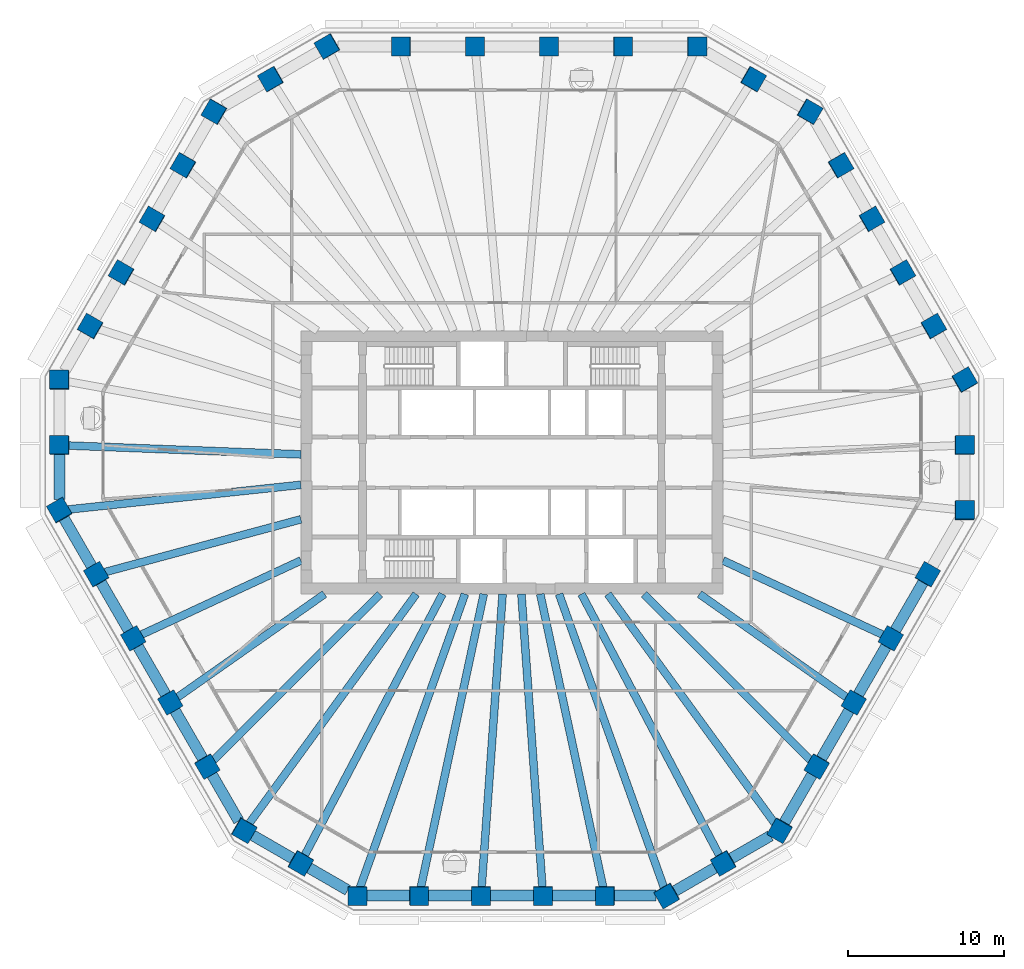
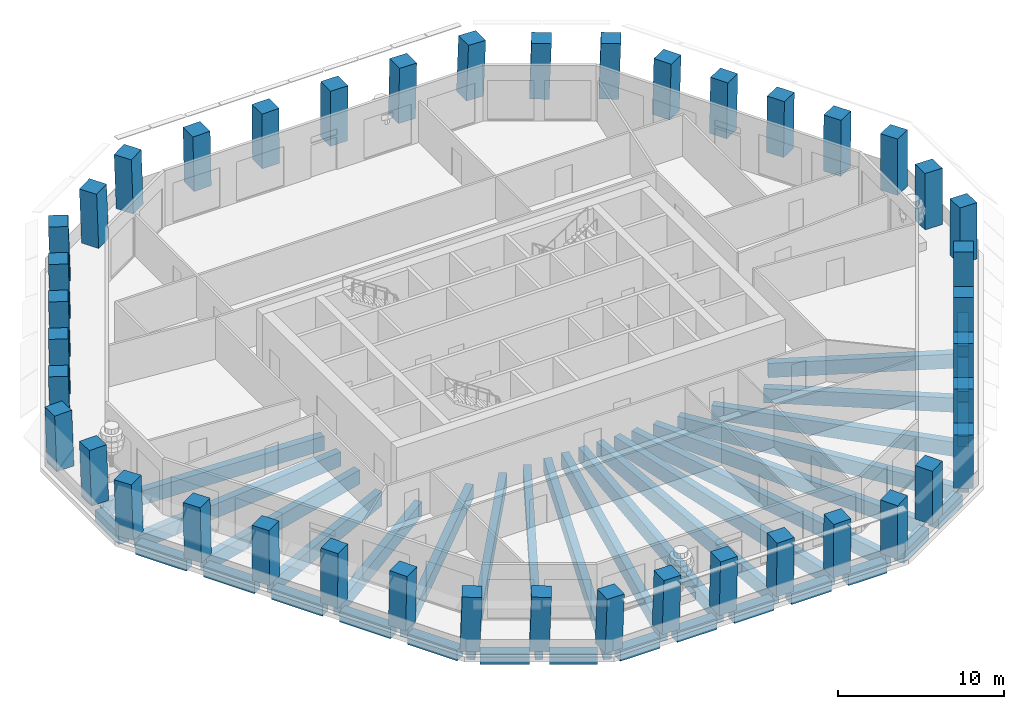
# One storey, part 1 of 12: 42 columns, 38 beams.
"""IFC4 building model written with IfcOpenShell, lengths in metres."""

from ifc_helpers import new_model, si_unit, direction, frame, origin, origin_2d, place, context, subcontext, project, spatial, rectangle, extrude, material, material_profile, profile_set, type_object, element, save


model = new_model("IFC4")

# Units and contexts
model_context = context("Model", 3, precision=1e-05, world=origin(), true_north=direction((0.0, 1.0)))
body_context = subcontext(model_context, "Body", "Model", "MODEL_VIEW")
ifc_project = project(units=[si_unit("LENGTHUNIT", "METRE"), si_unit("AREAUNIT", "SQUARE_METRE"), si_unit("VOLUMEUNIT", "CUBIC_METRE"), si_unit("PLANEANGLEUNIT", "RADIAN"), si_unit("MASSUNIT", "GRAM", prefix="KILO")], contexts=[model_context])

# Site, building, storey
site_placement = place(None, origin())
site = spatial("IfcSite", under=ifc_project, at=site_placement, CompositionType="ELEMENT")
building_placement = place(site_placement, origin())
building = spatial("IfcBuilding", under=site, at=building_placement, Name="Frailejon Research Tower", CompositionType="ELEMENT")
storey_placement = place(building_placement, frame((0.0, 0.0, 180.39990234375)))
storey = spatial("IfcBuildingStorey", under=building, at=storey_placement, Name="L39", CompositionType="ELEMENT", Elevation=180.39990234375)

# Columns
ifc_material_1 = material(Name="Concrete C60/75", Category="concrete")
ifc_material_profile_1 = material_profile(ifc_material_1, rectangle(XDim=1.199951171875, YDim=1.199951171875, at=origin_2d()), Name="Column 1200")
ifc_profile_set_1 = profile_set([ifc_material_profile_1], Name="Concrete C60/75")
column_type = type_object("IfcColumnType", Name="Column 1200", PredefinedType="COLUMN", material=ifc_profile_set_1)
for number, where, z_axis, x_axis, name in (
    (1, (29.051513671875, -3.081298828125, 0.0), (0.018132630042, 0.031385715123, 0.999342856388), (-2.2275817e-05, 0.999507197449, -0.031390472292), "Column C01"),
    (2, (29.051513671875, 1.106201171875, 0.0), (0.018132630042, 0.031385715123, 0.999342856388), (-2.2275817e-05, 0.999507197449, -0.031390472292), "Column C02"),
    (3, (29.051513671875, 5.293701171875, 0.0), (0.018132630042, 0.031385715123, 0.999342856388), (-0.500209083473, 0.865715193431, -0.018112886952), "Column C03"),
):
    element("IfcColumn", number, at=place(storey_placement, frame(where, z_axis=z_axis, x_axis=x_axis)), inside=storey, type_object=column_type, Name=name, PredefinedType="COLUMN", context=body_context, shape_type="SweptSolid", body=[
        extrude(rectangle(XDim=1.199951171875, YDim=1.199951171875, at=origin_2d()), origin(), (0.0, 0.0, 1.0), 4.052734375),
    ])
column_1_placement = place(storey_placement, frame((27.063232421875, 8.737548828125, 0.0), z_axis=(0.021749390218, 0.025123256844, 0.9994477405), x_axis=(-0.500502362591, 0.865666942435, -0.01086875412)))
element("IfcColumn", 4, at=column_1_placement, inside=storey, type_object=column_type, Name="Column C04", PredefinedType="COLUMN", context=body_context, shape_type="SweptSolid", body=[
    extrude(rectangle(XDim=1.199951171875, YDim=1.199951171875, at=origin_2d()), origin(), (0.0, 0.0, 1.0), 4.05224609375),
])
for number, where, z_axis, x_axis, name in (
    (5, (25.074951171875, 12.18115234375, 0.0), (0.025425794273, 0.018858468264, 0.999498817988), (-0.499709914648, 0.866185208492, -0.003631224684), "Column C05"),
    (6, (23.0869140625, 15.625, 0.0), (0.028980660531, 0.012532177527, 0.999501408624), (-0.499450496938, 0.866334867635, 0.003619147421), "Column C06"),
):
    element("IfcColumn", number, at=place(storey_placement, frame(where, z_axis=z_axis, x_axis=x_axis)), inside=storey, type_object=column_type, Name=name, PredefinedType="COLUMN", context=body_context, shape_type="SweptSolid", body=[
        extrude(rectangle(XDim=1.199951171875, YDim=1.199951171875, at=origin_2d()), origin(), (0.0, 0.0, 1.0), 4.052001953125),
    ])
column_2_placement = place(storey_placement, frame((21.098388671875, 19.068603515625, 0.0), z_axis=(0.032654174822, 0.006325993277, 0.999446690262), x_axis=(-0.500478631698, 0.865680616164, 0.010872442804)))
element("IfcColumn", 7, at=column_2_placement, inside=storey, type_object=column_type, Name="Column C07", PredefinedType="COLUMN", context=body_context, shape_type="SweptSolid", body=[
    extrude(rectangle(XDim=1.199951171875, YDim=1.199951171875, at=origin_2d()), origin(), (0.0, 0.0, 1.0), 4.05224609375),
])
for number, where, z_axis, x_axis, name in (
    (8, (19.1103515625, 22.512451171875, 0.0), (0.036205074038, 0.0, 0.999344381389), (-0.865315435316, 0.500246354177, 0.031349362627), "Column C08"),
    (9, (15.483642578125, 24.606201171875, 0.0), (0.036265236264, 0.0, 0.999342199969), (-0.865313546461, 0.500246354177, 0.031401456084), "Column C09"),
    (10, (11.857177734375, 26.699951171875, 0.0), (0.036265236264, 0.0, 0.999342199969), (-0.999342199969, 0.0, 0.036265236264), "Column C10"),
):
    element("IfcColumn", number, at=place(storey_placement, frame(where, z_axis=z_axis, x_axis=x_axis)), inside=storey, type_object=column_type, Name=name, PredefinedType="COLUMN", context=body_context, shape_type="SweptSolid", body=[
        extrude(rectangle(XDim=1.199951171875, YDim=1.199951171875, at=origin_2d()), origin(), (0.0, 0.0, 1.0), 4.052734375),
    ])
column_3_placement = place(storey_placement, frame((7.1142578125, 26.699951171875, 0.0), z_axis=(0.021756257337, 0.0, 0.999763304621), x_axis=(-0.999763304621, 0.0, 0.021756257337)))
element("IfcColumn", 11, at=column_3_placement, inside=storey, type_object=column_type, Name="Column C11", PredefinedType="COLUMN", context=body_context, shape_type="SweptSolid", body=[
    extrude(rectangle(XDim=1.199951171875, YDim=1.199951171875, at=origin_2d()), origin(), (0.0, 0.0, 1.0), 4.051025390625),
])
for number, where, z_axis, x_axis, name in (
    (12, (2.371337890625, 26.699951171875, 0.0), (0.007293795973, 0.0, 0.999973399916), (-0.999973399916, 0.0, 0.007293795973), "Column C12"),
    (13, (-2.371337890625, 26.699951171875, 0.0), (-0.007293795973, 0.0, 0.999973399916), (-0.999973399916, 0.0, -0.007293795973), "Column C13"),
):
    element("IfcColumn", number, at=place(storey_placement, frame(where, z_axis=z_axis, x_axis=x_axis)), inside=storey, type_object=column_type, Name=name, PredefinedType="COLUMN", context=body_context, shape_type="SweptSolid", body=[
        extrude(rectangle(XDim=1.199951171875, YDim=1.199951171875, at=origin_2d()), origin(), (0.0, 0.0, 1.0), 4.050048828125),
    ])
column_4_placement = place(storey_placement, frame((-7.1142578125, 26.699951171875, 0.0), z_axis=(-0.021756257337, 0.0, 0.999763304621), x_axis=(-0.999763304621, 0.0, -0.021756257337)))
element("IfcColumn", 14, at=column_4_placement, inside=storey, type_object=column_type, Name="Column C14", PredefinedType="COLUMN", context=body_context, shape_type="SweptSolid", body=[
    extrude(rectangle(XDim=1.199951171875, YDim=1.199951171875, at=origin_2d()), origin(), (0.0, 0.0, 1.0), 4.051025390625),
])
for number, where, z_axis, x_axis, name in (
    (15, (-11.857177734375, 26.699951171875, 0.0), (-0.036265236264, 0.0, 0.999342199969), (-0.865313546461, -0.500246354177, -0.031401456084), "Column C15"),
    (16, (-15.483642578125, 24.606201171875, 0.0), (-0.036265236264, 0.0, 0.999342199969), (-0.865313546461, -0.500246354177, -0.031401456084), "Column C16"),
    (17, (-19.1103515625, 22.512451171875, 0.0), (-0.036205074038, 0.0, 0.999344381389), (-0.499425957592, -0.866167613071, -0.018093616283), "Column C17"),
):
    element("IfcColumn", number, at=place(storey_placement, frame(where, z_axis=z_axis, x_axis=x_axis)), inside=storey, type_object=column_type, Name=name, PredefinedType="COLUMN", context=body_context, shape_type="SweptSolid", body=[
        extrude(rectangle(XDim=1.199951171875, YDim=1.199951171875, at=origin_2d()), origin(), (0.0, 0.0, 1.0), 4.052734375),
    ])
column_5_placement = place(storey_placement, frame((-21.098388671875, 19.068603515625, 0.0), z_axis=(-0.032654174822, 0.006325993277, 0.999446690262), x_axis=(-0.500478631698, -0.865680616164, -0.010872442804)))
element("IfcColumn", 18, at=column_5_placement, inside=storey, type_object=column_type, Name="Column C18", PredefinedType="COLUMN", context=body_context, shape_type="SweptSolid", body=[
    extrude(rectangle(XDim=1.199951171875, YDim=1.199951171875, at=origin_2d()), origin(), (0.0, 0.0, 1.0), 4.05224609375),
])
for number, where, z_axis, x_axis, name in (
    (19, (-23.0869140625, 15.625, 0.0), (-0.028980660531, 0.012532177527, 0.999501408624), (-0.499450496938, -0.866334867635, -0.003619147421), "Column C19"),
    (20, (-25.074951171875, 12.18115234375, 0.0), (-0.025425794273, 0.018858468264, 0.999498817988), (-0.499709914648, -0.866185208492, 0.003631224684), "Column C20"),
):
    element("IfcColumn", number, at=place(storey_placement, frame(where, z_axis=z_axis, x_axis=x_axis)), inside=storey, type_object=column_type, Name=name, PredefinedType="COLUMN", context=body_context, shape_type="SweptSolid", body=[
        extrude(rectangle(XDim=1.199951171875, YDim=1.199951171875, at=origin_2d()), origin(), (0.0, 0.0, 1.0), 4.052001953125),
    ])
column_6_placement = place(storey_placement, frame((-27.063232421875, 8.737548828125, 0.0), z_axis=(-0.021749390218, 0.025123256844, 0.9994477405), x_axis=(-0.500502362591, -0.865666942435, 0.01086875412)))
element("IfcColumn", 21, at=column_6_placement, inside=storey, type_object=column_type, Name="Column C21", PredefinedType="COLUMN", context=body_context, shape_type="SweptSolid", body=[
    extrude(rectangle(XDim=1.199951171875, YDim=1.199951171875, at=origin_2d()), origin(), (0.0, 0.0, 1.0), 4.05224609375),
])
for number, where, z_axis, x_axis, name in (
    (22, (-29.051513671875, 5.293701171875, 0.0), (-0.018132630042, 0.031385715123, 0.999342856388), (-0.000336383425, -0.999507319949, 0.031384776797), "Column C22"),
    (23, (-29.051513671875, 1.106201171875, 0.0), (-0.018132630042, 0.031385715123, 0.999342856388), (-2.2275817e-05, -0.999507197449, 0.031390472292), "Column C23"),
    (24, (-29.051513671875, -3.081298828125, 0.0), (-0.018132630042, 0.031385715123, 0.999342856388), (0.50014482047, -0.865182814935, 0.036247141934), "Column C24"),
):
    element("IfcColumn", number, at=place(storey_placement, frame(where, z_axis=z_axis, x_axis=x_axis)), inside=storey, type_object=column_type, Name=name, PredefinedType="COLUMN", context=body_context, shape_type="SweptSolid", body=[
        extrude(rectangle(XDim=1.199951171875, YDim=1.199951171875, at=origin_2d()), origin(), (0.0, 0.0, 1.0), 4.052734375),
    ])
column_7_placement = place(storey_placement, frame((-26.679931640625, -7.188720703125, 0.0), z_axis=(-0.010908266268, 0.018803199313, 0.999763696792), x_axis=(0.501388074159, -0.864949390756, 0.021738227219)))
element("IfcColumn", 25, at=column_7_placement, inside=storey, type_object=column_type, Name="Column C25", PredefinedType="COLUMN", context=body_context, shape_type="SweptSolid", body=[
    extrude(rectangle(XDim=1.199951171875, YDim=1.199951171875, at=origin_2d()), origin(), (0.0, 0.0, 1.0), 4.051025390625),
])
for number, where, z_axis, x_axis, name in (
    (26, (-24.30859375, -11.29638671875, 0.0), (-0.003616758439, 0.006329327268, 0.999973428984), (0.495951477881, -0.868319636001, 0.00728980954), "Column C26"),
    (27, (-21.937255859375, -15.40380859375, 0.0), (0.003616759812, -0.006269050341, 0.999973808685), (0.499535500447, -0.866263182786, -0.007237536985), "Column C27"),
):
    element("IfcColumn", number, at=place(storey_placement, frame(where, z_axis=z_axis, x_axis=x_axis)), inside=storey, type_object=column_type, Name=name, PredefinedType="COLUMN", context=body_context, shape_type="SweptSolid", body=[
        extrude(rectangle(XDim=1.199951171875, YDim=1.199951171875, at=origin_2d()), origin(), (0.0, 0.0, 1.0), 4.050048828125),
    ])
column_8_placement = place(storey_placement, frame((-19.565673828125, -19.51123046875, 0.0), z_axis=(0.010908266268, -0.018803199313, 0.999763696792), x_axis=(0.501388074159, -0.864949390756, -0.021738227219)))
element("IfcColumn", 28, at=column_8_placement, inside=storey, type_object=column_type, Name="Column C28", PredefinedType="COLUMN", context=body_context, shape_type="SweptSolid", body=[
    extrude(rectangle(XDim=1.199951171875, YDim=1.199951171875, at=origin_2d()), origin(), (0.0, 0.0, 1.0), 4.051025390625),
])
for number, where, z_axis, x_axis, name in (
    (29, (-17.1943359375, -23.61865234375, 0.0), (0.018132630042, -0.031385715123, 0.999342856388), (0.865884970752, -0.499257274245, -0.031390946777), "Column C29"),
    (30, (-13.567626953125, -25.71240234375, 0.0), (0.018132630042, -0.031385715123, 0.999342856388), (0.866156195426, -0.498787200508, -0.031381104725), "Column C30"),
    (31, (-9.941162109375, -27.80615234375, 0.0), (0.018132595726, -0.031445896907, 0.999340965106), (0.999835550636, 0.000286381875, -0.018132558286), "Column C31"),
):
    element("IfcColumn", number, at=place(storey_placement, frame(where, z_axis=z_axis, x_axis=x_axis)), inside=storey, type_object=column_type, Name=name, PredefinedType="COLUMN", context=body_context, shape_type="SweptSolid", body=[
        extrude(rectangle(XDim=1.199951171875, YDim=1.199951171875, at=origin_2d()), origin(), (0.0, 0.0, 1.0), 4.052734375),
    ])
column_9_placement = place(storey_placement, frame((-5.964599609375, -27.80615234375, 0.0), z_axis=(0.010844558034, -0.031449218299, 0.999446517944), x_axis=(0.999940272601, -0.001017302155, -0.010881926626)))
element("IfcColumn", 32, at=column_9_placement, inside=storey, type_object=column_type, Name="Column C32", PredefinedType="COLUMN", context=body_context, shape_type="SweptSolid", body=[
    extrude(rectangle(XDim=1.199951171875, YDim=1.199951171875, at=origin_2d()), origin(), (0.0, 0.0, 1.0), 4.05224609375),
])
for number, where, z_axis, x_axis, name in (
    (33, (-1.98828125, -27.80615234375, 0.0), (0.003615041636, -0.031450862236, 0.999498761749), (0.999993465412, 8.9073869e-05, -0.003614028053), "Column C33"),
    (34, (1.98828125, -27.80615234375, 0.0), (-0.003615041636, -0.031450862236, 0.999498761749), (0.999993465412, -8.9073869e-05, 0.003614028053), "Column C34"),
):
    element("IfcColumn", number, at=place(storey_placement, frame(where, z_axis=z_axis, x_axis=x_axis)), inside=storey, type_object=column_type, Name=name, PredefinedType="COLUMN", context=body_context, shape_type="SweptSolid", body=[
        extrude(rectangle(XDim=1.199951171875, YDim=1.199951171875, at=origin_2d()), origin(), (0.0, 0.0, 1.0), 4.052001953125),
    ])
column_10_placement = place(storey_placement, frame((5.964599609375, -27.80615234375, 0.0), z_axis=(-0.010844558034, -0.031449218299, 0.999446517944), x_axis=(0.999940272601, 0.001017302155, 0.010881926626)))
element("IfcColumn", 35, at=column_10_placement, inside=storey, type_object=column_type, Name="Column C35", PredefinedType="COLUMN", context=body_context, shape_type="SweptSolid", body=[
    extrude(rectangle(XDim=1.199951171875, YDim=1.199951171875, at=origin_2d()), origin(), (0.0, 0.0, 1.0), 4.05224609375),
])
for number, where, z_axis, x_axis, name in (
    (36, (9.941162109375, -27.80615234375, 0.0), (-0.018132595726, -0.031445896907, 0.999340965106), (0.865740985748, 0.499504693256, 0.031426215359), "Column C36"),
    (37, (13.567626953125, -25.71240234375, 0.0), (-0.018132630042, -0.031385715123, 0.999342856388), (0.866156195426, 0.498787200508, 0.031381104725), "Column C37"),
    (38, (17.1943359375, -23.61865234375, 0.0), (-0.018132630042, -0.031385715123, 0.999342856388), (0.499674818932, 0.865454343132, 0.036247141676), "Column C38"),
):
    element("IfcColumn", number, at=place(storey_placement, frame(where, z_axis=z_axis, x_axis=x_axis)), inside=storey, type_object=column_type, Name=name, PredefinedType="COLUMN", context=body_context, shape_type="SweptSolid", body=[
        extrude(rectangle(XDim=1.199951171875, YDim=1.199951171875, at=origin_2d()), origin(), (0.0, 0.0, 1.0), 4.052734375),
    ])
column_11_placement = place(storey_placement, frame((19.565673828125, -19.51123046875, 0.0), z_axis=(-0.010908266268, -0.018803199313, 0.999763696792), x_axis=(0.501388074159, 0.864949390756, 0.021738227219)))
element("IfcColumn", 39, at=column_11_placement, inside=storey, type_object=column_type, Name="Column C39", PredefinedType="COLUMN", context=body_context, shape_type="SweptSolid", body=[
    extrude(rectangle(XDim=1.199951171875, YDim=1.199951171875, at=origin_2d()), origin(), (0.0, 0.0, 1.0), 4.051025390625),
])
for number, where, z_axis, x_axis, name in (
    (40, (21.937255859375, -15.40380859375, 0.0), (-0.003616759812, -0.006269050341, 0.999973808685), (0.499535500447, 0.866263182786, 0.007237536985), "Column C40"),
    (41, (24.30859375, -11.29638671875, 0.0), (0.003616758439, 0.006329327268, 0.999973428984), (0.495951477881, 0.868319636001, -0.00728980954), "Column C41"),
):
    element("IfcColumn", number, at=place(storey_placement, frame(where, z_axis=z_axis, x_axis=x_axis)), inside=storey, type_object=column_type, Name=name, PredefinedType="COLUMN", context=body_context, shape_type="SweptSolid", body=[
        extrude(rectangle(XDim=1.199951171875, YDim=1.199951171875, at=origin_2d()), origin(), (0.0, 0.0, 1.0), 4.050048828125),
    ])
column_12_placement = place(storey_placement, frame((26.679931640625, -7.188720703125, 0.0), z_axis=(0.010908266268, 0.018803199313, 0.999763696792), x_axis=(0.501388074159, 0.864949390756, -0.021738227219)))
element("IfcColumn", 42, at=column_12_placement, inside=storey, type_object=column_type, Name="Column C42", PredefinedType="COLUMN", context=body_context, shape_type="SweptSolid", body=[
    extrude(rectangle(XDim=1.199951171875, YDim=1.199951171875, at=origin_2d()), origin(), (0.0, 0.0, 1.0), 4.051025390625),
])

# Beams
ifc_material_2 = material(Name="Concrete C60/75", Category="concrete")
ifc_material_profile_2 = material_profile(ifc_material_2, rectangle(XDim=0.5, YDim=1.050048828125, at=origin_2d()), Name="Girder 500x1050")
ifc_profile_set_2 = profile_set([ifc_material_profile_2], Name="Concrete C60/75")
beam_type_1 = type_object("IfcBeamType", Name="Girder 500x1050", PredefinedType="BEAM", material=ifc_profile_set_2)
beam_1_placement = place(storey_placement, frame((-28.601318359375, 1.089111328125, -0.824951171875), z_axis=(0.999275517549, -0.038058376565, 0.0), x_axis=(0.038058376565, 0.999275517549, 0.0)))
element("IfcBeam", 43, at=beam_1_placement, inside=storey, type_object=beam_type_1, Name="Girder 500x1050", PredefinedType="BEAM", context=body_context, shape_type="SweptSolid", body=[
    extrude(rectangle(XDim=0.5, YDim=1.050048828125, at=origin_2d()), origin(), (0.0, 0.0, 1.0), 15.062255859375),
])
beam_2_placement = place(storey_placement, frame((-28.5478515625, -3.028076171875, -0.824951171875), z_axis=(0.994421581425, 0.105478521017, 0.0), x_axis=(-0.105478521017, 0.994421581425, 0.0)))
element("IfcBeam", 44, at=beam_2_placement, inside=storey, type_object=beam_type_1, Name="Girder 500x1050", PredefinedType="BEAM", context=body_context, shape_type="SweptSolid", body=[
    extrude(rectangle(XDim=0.5, YDim=1.050048828125, at=origin_2d()), origin(), (0.0, 0.0, 1.0), 15.08203125),
])
beam_3_placement = place(storey_placement, frame((-26.225341796875, -7.06640625, -0.824951171875), z_axis=(0.965559352483, 0.260182891121, 0.0), x_axis=(-0.260182891121, 0.965559352483, 0.0)))
element("IfcBeam", 45, at=beam_3_placement, inside=storey, type_object=beam_type_1, Name="Girder 500x1050", PredefinedType="BEAM", context=body_context, shape_type="SweptSolid", body=[
    extrude(rectangle(XDim=0.5, YDim=1.050048828125, at=origin_2d()), origin(), (0.0, 0.0, 1.0), 13.12744140625),
])
beam_4_placement = place(storey_placement, frame((-23.8984375, -11.105712890625, -0.824951171875), z_axis=(0.906859192087, 0.421433750106, 0.0), x_axis=(-0.421433750106, 0.906859192087, 0.0)))
element("IfcBeam", 46, at=beam_4_placement, inside=storey, type_object=beam_type_1, Name="Girder 500x1050", PredefinedType="BEAM", context=body_context, shape_type="SweptSolid", body=[
    extrude(rectangle(XDim=0.5, YDim=1.050048828125, at=origin_2d()), origin(), (0.0, 0.0, 1.0), 11.4111328125),
])
beam_5_placement = place(storey_placement, frame((-21.56689453125, -15.143798828125, -0.824951171875), z_axis=(0.818386179153, 0.574668653896, 0.0), x_axis=(-0.574668653896, 0.818386179153, 0.0)))
element("IfcBeam", 47, at=beam_5_placement, inside=storey, type_object=beam_type_1, Name="Girder 500x1050", PredefinedType="BEAM", context=body_context, shape_type="SweptSolid", body=[
    extrude(rectangle(XDim=0.5, YDim=1.050048828125, at=origin_2d()), origin(), (0.0, 0.0, 1.0), 11.648193359375),
])
beam_6_placement = place(storey_placement, frame((-19.232177734375, -19.1787109375, -0.824951171875), z_axis=(0.708086274368, 0.706125929315, 0.0), x_axis=(-0.706125929315, 0.708086274368, 0.0)))
element("IfcBeam", 48, at=beam_6_placement, inside=storey, type_object=beam_type_1, Name="Girder 500x1050", PredefinedType="BEAM", context=body_context, shape_type="SweptSolid", body=[
    extrude(rectangle(XDim=0.5, YDim=1.050048828125, at=origin_2d()), origin(), (0.0, 0.0, 1.0), 15.19384765625),
])
beam_7_placement = place(storey_placement, frame((-16.927490234375, -23.252197265625, -0.824951171875), z_axis=(0.58855061635, 0.808460371319, 0.0), x_axis=(-0.808460371319, 0.58855061635, 0.0)))
element("IfcBeam", 49, at=beam_7_placement, inside=storey, type_object=beam_type_1, Name="Girder 500x1050", PredefinedType="BEAM", context=body_context, shape_type="SweptSolid", body=[
    extrude(rectangle(XDim=0.5, YDim=1.050048828125, at=origin_2d()), origin(), (0.0, 0.0, 1.0), 18.30908203125),
])
beam_8_placement = place(storey_placement, frame((-13.357421875, -25.31396484375, -0.824951171875), z_axis=(0.466686014132, 0.884423068567, 0.0), x_axis=(-0.884423068567, 0.466686014132, 0.0)))
element("IfcBeam", 50, at=beam_8_placement, inside=storey, type_object=beam_type_1, Name="Girder 500x1050", PredefinedType="BEAM", context=body_context, shape_type="SweptSolid", body=[
    extrude(rectangle(XDim=0.5, YDim=1.050048828125, at=origin_2d()), origin(), (0.0, 0.0, 1.0), 19.06787109375),
])
beam_9_placement = place(storey_placement, frame((-9.777099609375, -27.347412109375, -0.824951171875), z_axis=(0.336646177263, 0.94163121833, 0.0), x_axis=(-0.94163121833, 0.336646177263, 0.0)))
element("IfcBeam", 51, at=beam_9_placement, inside=storey, type_object=beam_type_1, Name="Girder 500x1050", PredefinedType="BEAM", context=body_context, shape_type="SweptSolid", body=[
    extrude(rectangle(XDim=0.5, YDim=1.050048828125, at=origin_2d()), origin(), (0.0, 0.0, 1.0), 20.06884765625),
])
beam_10_placement = place(storey_placement, frame((-5.867431640625, -27.352783203125, -0.824951171875), z_axis=(0.209742963519, 0.9777565593, 0.0), x_axis=(-0.9777565593, 0.209742963519, 0.0)))
element("IfcBeam", 52, at=beam_10_placement, inside=storey, type_object=beam_type_1, Name="Girder 500x1050", PredefinedType="BEAM", context=body_context, shape_type="SweptSolid", body=[
    extrude(rectangle(XDim=0.5, YDim=1.050048828125, at=origin_2d()), origin(), (0.0, 0.0, 1.0), 19.332763671875),
])
for number, where, z_axis, x_axis, name in (
    (53, (-1.9560546875, -27.355712890625, -0.824951171875), (0.071320280011, 0.997453466413, 0.0), (-0.997453466413, 0.071320280011, 0.0), "Girder 500x1050"),
    (54, (1.9560546875, -27.355712890625, -0.824951171875), (-0.071320280011, 0.997453466413, 0.0), (-0.997453466413, -0.071320280011, 0.0), "Girder 500x1050"),
):
    element("IfcBeam", number, at=place(storey_placement, frame(where, z_axis=z_axis, x_axis=x_axis)), inside=storey, type_object=beam_type_1, Name=name, PredefinedType="BEAM", context=body_context, shape_type="SweptSolid", body=[
        extrude(rectangle(XDim=0.5, YDim=1.050048828125, at=origin_2d()), origin(), (0.0, 0.0, 1.0), 18.9541015625),
    ])
beam_11_placement = place(storey_placement, frame((5.867431640625, -27.352783203125, -0.824951171875), z_axis=(-0.209742963519, 0.9777565593, 0.0), x_axis=(-0.9777565593, -0.209742963519, 0.0)))
element("IfcBeam", 55, at=beam_11_placement, inside=storey, type_object=beam_type_1, Name="Girder 500x1050", PredefinedType="BEAM", context=body_context, shape_type="SweptSolid", body=[
    extrude(rectangle(XDim=0.5, YDim=1.050048828125, at=origin_2d()), origin(), (0.0, 0.0, 1.0), 19.332763671875),
])
beam_12_placement = place(storey_placement, frame((9.786376953125, -27.373291015625, -0.824951171875), z_axis=(-0.336647292508, 0.941630819614, 0.0), x_axis=(-0.941630819614, -0.336647292508, 0.0)))
element("IfcBeam", 56, at=beam_12_placement, inside=storey, type_object=beam_type_1, Name="Girder 500x1050", PredefinedType="BEAM", context=body_context, shape_type="SweptSolid", body=[
    extrude(rectangle(XDim=0.5, YDim=1.050048828125, at=origin_2d()), origin(), (0.0, 0.0, 1.0), 20.096435546875),
])
beam_13_placement = place(storey_placement, frame((13.357421875, -25.31396484375, -0.824951171875), z_axis=(-0.466686014132, 0.884423068567, 0.0), x_axis=(-0.884423068567, -0.466686014132, 0.0)))
element("IfcBeam", 57, at=beam_13_placement, inside=storey, type_object=beam_type_1, Name="Girder 500x1050", PredefinedType="BEAM", context=body_context, shape_type="SweptSolid", body=[
    extrude(rectangle(XDim=0.5, YDim=1.050048828125, at=origin_2d()), origin(), (0.0, 0.0, 1.0), 19.06787109375),
])
beam_14_placement = place(storey_placement, frame((16.896240234375, -23.208984375, -0.824951171875), z_axis=(-0.588558082192, 0.808454936213, 0.0), x_axis=(-0.808454936213, -0.588558082192, 0.0)))
element("IfcBeam", 58, at=beam_14_placement, inside=storey, type_object=beam_type_1, Name="Girder 500x1050", PredefinedType="BEAM", context=body_context, shape_type="SweptSolid", body=[
    extrude(rectangle(XDim=0.5, YDim=1.050048828125, at=origin_2d()), origin(), (0.0, 0.0, 1.0), 18.255859375),
])
beam_15_placement = place(storey_placement, frame((19.232177734375, -19.1787109375, -0.824951171875), z_axis=(-0.708086274368, 0.706125929315, 0.0), x_axis=(-0.706125929315, -0.708086274368, 0.0)))
element("IfcBeam", 59, at=beam_15_placement, inside=storey, type_object=beam_type_1, Name="Girder 500x1050", PredefinedType="BEAM", context=body_context, shape_type="SweptSolid", body=[
    extrude(rectangle(XDim=0.5, YDim=1.050048828125, at=origin_2d()), origin(), (0.0, 0.0, 1.0), 15.19384765625),
])
beam_16_placement = place(storey_placement, frame((21.56689453125, -15.143798828125, -0.824951171875), z_axis=(-0.818386179153, 0.574668653896, 0.0), x_axis=(-0.574668653896, -0.818386179153, 0.0)))
element("IfcBeam", 60, at=beam_16_placement, inside=storey, type_object=beam_type_1, Name="Girder 500x1050", PredefinedType="BEAM", context=body_context, shape_type="SweptSolid", body=[
    extrude(rectangle(XDim=0.5, YDim=1.050048828125, at=origin_2d()), origin(), (0.0, 0.0, 1.0), 11.648193359375),
])
beam_17_placement = place(storey_placement, frame((23.8984375, -11.105712890625, -0.824951171875), z_axis=(-0.906859192087, 0.421433750106, 0.0), x_axis=(-0.421433750106, -0.906859192087, 0.0)))
element("IfcBeam", 61, at=beam_17_placement, inside=storey, type_object=beam_type_1, Name="Girder 500x1050", PredefinedType="BEAM", context=body_context, shape_type="SweptSolid", body=[
    extrude(rectangle(XDim=0.5, YDim=1.050048828125, at=origin_2d()), origin(), (0.0, 0.0, 1.0), 11.4111328125),
])
ifc_material_3 = material(Name="Concrete C60/75", Category="concrete")
ifc_material_profile_3 = material_profile(ifc_material_3, rectangle(XDim=0.699951171875, YDim=0.800048828125, at=origin_2d()), Name="Spandrel 700x800")
ifc_profile_set_3 = profile_set([ifc_material_profile_3], Name="Concrete C60/75")
beam_type_2 = type_object("IfcBeamType", Name="Spandrel 700x800", PredefinedType="BEAM", material=ifc_profile_set_3)
beam_18_placement = place(storey_placement, frame((-29.051513671875, 0.506103515625, -0.75), z_axis=(0.0, -1.0, 0.0), x_axis=(1.0, 0.0, 0.0)))
element("IfcBeam", 62, at=beam_18_placement, inside=storey, type_object=beam_type_2, Name="Spandrel 700x800", PredefinedType="BEAM", context=body_context, shape_type="SweptSolid", body=[
    extrude(rectangle(XDim=0.699951171875, YDim=0.800048828125, at=origin_2d()), origin(), (0.0, 0.0, 1.0), 2.894775390625),
])
for number, where, z_axis, x_axis, name in (
    (63, (-28.75146484375, -3.60107421875, -0.75), (0.500022697614, -0.866012298914, 0.0), (0.866012298914, 0.500022697614, 0.0), "Spandrel 700x800"),
    (64, (-26.3798828125, -7.70849609375, -0.75), (0.499971012794, -0.866042138909, 0.0), (0.866042138909, 0.499971012794, 0.0), "Spandrel 700x800"),
    (65, (-24.008544921875, -11.81591796875, -0.75), (0.499971012794, -0.866042138909, 0.0), (0.866042138909, 0.499971012794, 0.0), "Spandrel 700x800"),
):
    element("IfcBeam", number, at=place(storey_placement, frame(where, z_axis=z_axis, x_axis=x_axis)), inside=storey, type_object=beam_type_2, Name=name, PredefinedType="BEAM", context=body_context, shape_type="SweptSolid", body=[
        extrude(rectangle(XDim=0.699951171875, YDim=0.800048828125, at=origin_2d()), origin(), (0.0, 0.0, 1.0), 3.542724609375),
    ])
beam_19_placement = place(storey_placement, frame((-21.63720703125, -15.92333984375, -0.75), z_axis=(0.49999285859, -0.86602952684, 0.0), x_axis=(0.86602952684, 0.49999285859, 0.0)))
element("IfcBeam", 66, at=beam_19_placement, inside=storey, type_object=beam_type_2, Name="Spandrel 700x800", PredefinedType="BEAM", context=body_context, shape_type="SweptSolid", body=[
    extrude(rectangle(XDim=0.699951171875, YDim=0.800048828125, at=origin_2d()), origin(), (0.0, 0.0, 1.0), 3.54296875),
])
beam_20_placement = place(storey_placement, frame((-19.265625, -20.03076171875, -0.75), z_axis=(0.499967486139, -0.866044174857, 0.0), x_axis=(0.866044174857, 0.499967486139, 0.0)))
element("IfcBeam", 67, at=beam_20_placement, inside=storey, type_object=beam_type_2, Name="Spandrel 700x800", PredefinedType="BEAM", context=body_context, shape_type="SweptSolid", body=[
    extrude(rectangle(XDim=0.699951171875, YDim=0.800048828125, at=origin_2d()), origin(), (0.0, 0.0, 1.0), 3.449951171875),
])
beam_21_placement = place(storey_placement, frame((-16.6748046875, -23.918701171875, -0.75), z_axis=(0.866052229876, -0.499953532967, 0.0), x_axis=(0.499953532967, 0.866052229876, 0.0)))
element("IfcBeam", 68, at=beam_21_placement, inside=storey, type_object=beam_type_2, Name="Spandrel 700x800", PredefinedType="BEAM", context=body_context, shape_type="SweptSolid", body=[
    extrude(rectangle(XDim=0.699951171875, YDim=0.800048828125, at=origin_2d()), origin(), (0.0, 0.0, 1.0), 2.987548828125),
])
beam_22_placement = place(storey_placement, frame((-13.048095703125, -26.012451171875, -0.75), z_axis=(0.866033897268, -0.499985288567, 0.0), x_axis=(0.499985288567, 0.866033897268, 0.0)))
element("IfcBeam", 69, at=beam_22_placement, inside=storey, type_object=beam_type_2, Name="Spandrel 700x800", PredefinedType="BEAM", context=body_context, shape_type="SweptSolid", body=[
    extrude(rectangle(XDim=0.699951171875, YDim=0.800048828125, at=origin_2d()), origin(), (0.0, 0.0, 1.0), 2.89453125),
])
for number, where, z_axis, x_axis, name in (
    (70, (-9.34130859375, -27.80615234375, -0.75), (1.0, 0.0, 0.0), (0.0, 1.0, 0.0), "Spandrel 700x800"),
    (71, (-5.36474609375, -27.80615234375, -0.75), (1.0, 0.0, 0.0), (0.0, 1.0, 0.0), "Spandrel 700x800"),
):
    element("IfcBeam", number, at=place(storey_placement, frame(where, z_axis=z_axis, x_axis=x_axis)), inside=storey, type_object=beam_type_2, Name=name, PredefinedType="BEAM", context=body_context, shape_type="SweptSolid", body=[
        extrude(rectangle(XDim=0.699951171875, YDim=0.800048828125, at=origin_2d()), origin(), (0.0, 0.0, 1.0), 2.776611328125),
    ])
beam_23_placement = place(storey_placement, frame((-1.38818359375, -27.80615234375, -0.75), z_axis=(1.0, 0.0, 0.0), x_axis=(0.0, 1.0, 0.0)))
element("IfcBeam", 72, at=beam_23_placement, inside=storey, type_object=beam_type_2, Name="Spandrel 700x800", PredefinedType="BEAM", context=body_context, shape_type="SweptSolid", body=[
    extrude(rectangle(XDim=0.699951171875, YDim=0.800048828125, at=origin_2d()), origin(), (0.0, 0.0, 1.0), 2.7763671875),
])
beam_24_placement = place(storey_placement, frame((2.588134765625, -27.80615234375, -0.75), z_axis=(1.0, 0.0, 0.0), x_axis=(0.0, 1.0, 0.0)))
element("IfcBeam", 73, at=beam_24_placement, inside=storey, type_object=beam_type_2, Name="Spandrel 700x800", PredefinedType="BEAM", context=body_context, shape_type="SweptSolid", body=[
    extrude(rectangle(XDim=0.699951171875, YDim=0.800048828125, at=origin_2d()), origin(), (0.0, 0.0, 1.0), 2.776611328125),
])
beam_25_placement = place(storey_placement, frame((6.564697265625, -27.80615234375, -0.75), z_axis=(1.0, 0.0, 0.0), x_axis=(0.0, 1.0, 0.0)))
element("IfcBeam", 74, at=beam_25_placement, inside=storey, type_object=beam_type_2, Name="Spandrel 700x800", PredefinedType="BEAM", context=body_context, shape_type="SweptSolid", body=[
    extrude(rectangle(XDim=0.699951171875, YDim=0.800048828125, at=origin_2d()), origin(), (0.0, 0.0, 1.0), 2.68359375),
])
beam_26_placement = place(storey_placement, frame((10.460693359375, -27.506103515625, -0.75), z_axis=(0.866052229876, 0.499953532967, 0.0), x_axis=(-0.499953532967, 0.866052229876, 0.0)))
element("IfcBeam", 75, at=beam_26_placement, inside=storey, type_object=beam_type_2, Name="Spandrel 700x800", PredefinedType="BEAM", context=body_context, shape_type="SweptSolid", body=[
    extrude(rectangle(XDim=0.699951171875, YDim=0.800048828125, at=origin_2d()), origin(), (0.0, 0.0, 1.0), 2.987548828125),
])
beam_27_placement = place(storey_placement, frame((14.08740234375, -25.412353515625, -0.75), z_axis=(0.866033897268, 0.499985288567, 0.0), x_axis=(-0.499985288567, 0.866033897268, 0.0)))
element("IfcBeam", 76, at=beam_27_placement, inside=storey, type_object=beam_type_2, Name="Spandrel 700x800", PredefinedType="BEAM", context=body_context, shape_type="SweptSolid", body=[
    extrude(rectangle(XDim=0.699951171875, YDim=0.800048828125, at=origin_2d()), origin(), (0.0, 0.0, 1.0), 2.89453125),
])
for number, where, z_axis, x_axis, name in (
    (77, (17.494384765625, -23.09912109375, -0.75), (0.499941174798, 0.866059363867, 0.0), (-0.866059363867, 0.499941174798, 0.0), "Spandrel 700x800"),
    (78, (19.86572265625, -18.99169921875, -0.75), (0.49999285859, 0.86602952684, 0.0), (-0.86602952684, 0.49999285859, 0.0), "Spandrel 700x800"),
):
    element("IfcBeam", number, at=place(storey_placement, frame(where, z_axis=z_axis, x_axis=x_axis)), inside=storey, type_object=beam_type_2, Name=name, PredefinedType="BEAM", context=body_context, shape_type="SweptSolid", body=[
        extrude(rectangle(XDim=0.699951171875, YDim=0.800048828125, at=origin_2d()), origin(), (0.0, 0.0, 1.0), 3.54296875),
    ])
for number, where, z_axis, x_axis, name in (
    (79, (22.2373046875, -14.884033203125, -0.75), (0.499971012794, 0.866042138909, 0.0), (-0.866042138909, 0.499971012794, 0.0), "Spandrel 700x800"),
    (80, (24.608642578125, -10.776611328125, -0.75), (0.499971012794, 0.866042138909, 0.0), (-0.866042138909, 0.499971012794, 0.0), "Spandrel 700x800"),
):
    element("IfcBeam", number, at=place(storey_placement, frame(where, z_axis=z_axis, x_axis=x_axis)), inside=storey, type_object=beam_type_2, Name=name, PredefinedType="BEAM", context=body_context, shape_type="SweptSolid", body=[
        extrude(rectangle(XDim=0.699951171875, YDim=0.800048828125, at=origin_2d()), origin(), (0.0, 0.0, 1.0), 3.542724609375),
    ])

save(model, "model.ifc")
